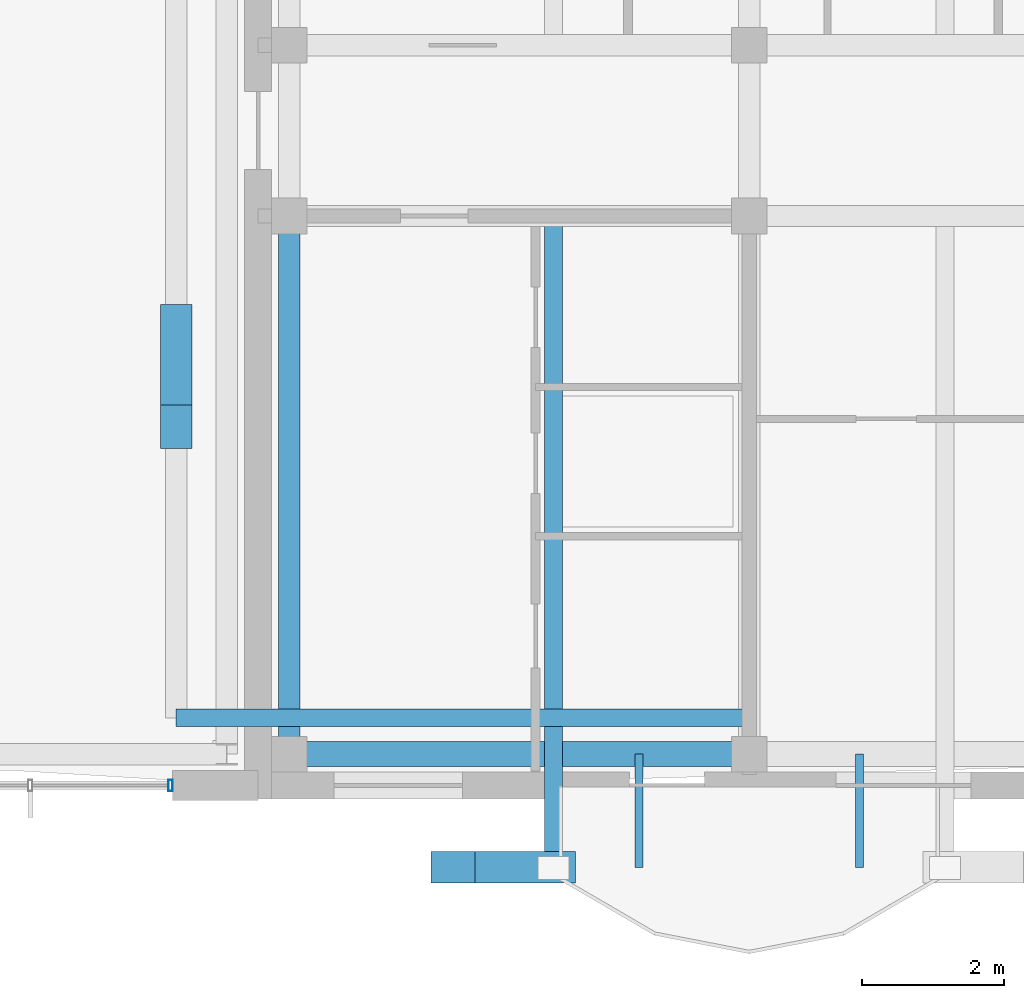
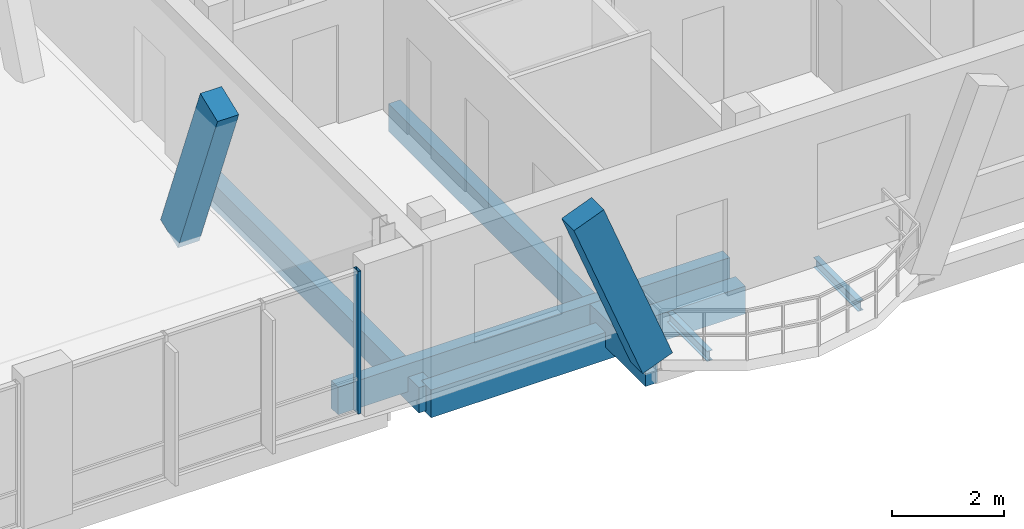
# One storey, part 57 of 189: 6 beams, 3 members, 1 element without a shape of its own.
"""IFC4 building model written with IfcOpenShell, lengths in metres."""

from ifc_helpers import new_model, si_unit, direction, frame, origin, origin_2d, place, context, subcontext, project, spatial, rectangle, hollow_rectangle, i_section, extrude, material, material_profile, profile_set, type_object, element, aggregate, save


model = new_model("IFC4")

# Units and contexts
model_context = context("Model", 3, precision=1e-05, world=origin(), true_north=direction((0.0, 1.0)))
body_context = subcontext(model_context, "Body", "Model", "MODEL_VIEW")
ifc_project = project(units=[si_unit("LENGTHUNIT", "METRE"), si_unit("AREAUNIT", "SQUARE_METRE"), si_unit("VOLUMEUNIT", "CUBIC_METRE"), si_unit("PLANEANGLEUNIT", "RADIAN"), si_unit("MASSUNIT", "GRAM", prefix="KILO")], contexts=[model_context])

# Site, building, storey
site_placement = place(None, origin())
site = spatial("IfcSite", under=ifc_project, at=site_placement, CompositionType="ELEMENT")
building_placement = place(site_placement, origin())
building = spatial("IfcBuilding", under=site, at=building_placement, Name="Zavelmont Quarter", CompositionType="ELEMENT")
storey_placement = place(building_placement, frame((0.0, 0.0, 4.39990234375)))
storey = spatial("IfcBuildingStorey", under=building, at=storey_placement, Name="L01", CompositionType="ELEMENT", Elevation=4.39990234375)

# Beams
ifc_material_1 = material(Name="Concrete C35/45", Category="concrete")
ifc_material_profile_1 = material_profile(ifc_material_1, rectangle(XDim=0.35009765625, YDim=0.60009765625, at=origin_2d()), Name="RC350X600")
ifc_profile_set_1 = profile_set([ifc_material_profile_1], Name="Concrete C35/45")
beam_type_1 = type_object("IfcBeamType", Name="BM01", PredefinedType="SPANDREL", material=ifc_profile_set_1)
beam_1_placement = place(storey_placement, frame((113.239990234375, 0.43994140625, -0.579833984375), z_axis=(1.0, 0.0, 0.0), x_axis=(0.0, 1.0, 0.0)))
element("IfcBeam", 1, at=beam_1_placement, inside=storey, type_object=beam_type_1, Name="L01 beam BM01 17/A to 18/A", PredefinedType="SPANDREL", context=body_context, shape_type="SweptSolid", body=[
    extrude(rectangle(XDim=0.35009765625, YDim=0.60009765625, at=origin_2d()), origin(), (0.0, 0.0, 1.0), 6.4599609375),
])
ifc_material_profile_2 = material_profile(ifc_material_1, rectangle(XDim=0.300048828125, YDim=0.550048828125, at=origin_2d()), Name="RC300X550")
ifc_profile_set_2 = profile_set([ifc_material_profile_2], Name="Concrete C35/45")
beam_type_2 = type_object("IfcBeamType", Name="BM02", PredefinedType="SPANDREL", material=ifc_profile_set_2)
beam_2_placement = place(storey_placement, frame((113.239990234375, 0.43994140625, -0.554931640625), z_axis=(0.0, 1.0, 0.0), x_axis=(-1.0, 0.0, 0.0)))
element("IfcBeam", 2, at=beam_2_placement, inside=storey, type_object=beam_type_2, Name="L01 beam BM02 17/A to 17/B", PredefinedType="SPANDREL", context=body_context, shape_type="SweptSolid", body=[
    extrude(rectangle(XDim=0.300048828125, YDim=0.550048828125, at=origin_2d()), origin(), (0.0, 0.0, 1.0), 7.56005859375),
])
ifc_material_2 = material(Name="Steel S355", Category="steel")
ifc_material_profile_3 = material_profile(ifc_material_2, i_section(OverallWidth=0.110107421875, OverallDepth=0.219970703125, WebThickness=0.005859375, FlangeThickness=0.00927734375, at=origin_2d()), Name="IPE 220")
ifc_profile_set_3 = profile_set([ifc_material_profile_3], Name="Steel S355")
beam_type_3 = type_object("IfcBeamType", Name="BM15", PredefinedType="JOIST", material=ifc_profile_set_3)
for number, where, z_axis, x_axis, name in (
    (3, (118.14990234375, 0.43994140625, -0.391845703125), (0.0, -1.0, 0.0), (1.0, 0.0, 0.0), "L01 beam BM15 18/A to 18/A"),
    (4, (121.25, 0.43994140625, -0.391845703125), (0.0, -1.0, 0.0), (1.0, 0.0, 0.0), "L01 beam BM15 18/A to 18/A"),
):
    element("IfcBeam", number, at=place(storey_placement, frame(where, z_axis=z_axis, x_axis=x_axis)), inside=storey, type_object=beam_type_3, Name=name, PredefinedType="JOIST", context=body_context, shape_type="SweptSolid", body=[
        extrude(i_section(OverallWidth=0.110107421875, OverallDepth=0.219970703125, WebThickness=0.005859375, FlangeThickness=0.00927734375, at=origin_2d()), origin(), (0.0, 0.0, 1.0), 1.58984375),
    ])
ifc_material_3 = material(Name="Concrete C40/50", Category="concrete")
ifc_material_profile_4 = material_profile(ifc_material_3, rectangle(XDim=0.25, YDim=0.60009765625, at=origin_2d()), Name="RC250X600")
ifc_profile_set_4 = profile_set([ifc_material_profile_4], Name="Concrete C40/50")
beam_type_4 = type_object("IfcBeamType", Name="BM18", PredefinedType="BEAM", material=ifc_profile_set_4)
beam_3_placement = place(storey_placement, frame((116.9501953125, 8.0, -0.2998046875), z_axis=(0.0, -1.0, 0.0), x_axis=(1.0, 0.0, 0.0)))
element("IfcBeam", 5, at=beam_3_placement, inside=storey, type_object=beam_type_4, Name="L01 beam BM18 18/B to 18/A", PredefinedType="BEAM", context=body_context, shape_type="SweptSolid", body=[
    extrude(rectangle(XDim=0.25, YDim=0.60009765625, at=origin_2d()), origin(), (0.0, 0.0, 1.0), 9.14990234375),
])
beam_4_placement = place(storey_placement, frame((119.699951171875, 0.949951171875, -0.2998046875), z_axis=(-1.0, 0.0, 0.0), x_axis=(0.0, -1.0, 0.0)))
element("IfcBeam", 6, at=beam_4_placement, inside=storey, type_object=beam_type_4, Name="L01 beam BM18 18/A to 17/A", PredefinedType="BEAM", context=body_context, shape_type="SweptSolid", body=[
    extrude(rectangle(XDim=0.25, YDim=0.60009765625, at=origin_2d()), origin(), (0.0, 0.0, 1.0), 8.050048828125),
])

# Curtain wall, member
ifc_material_4 = material(Name="Thermally broken aluminium and double low-E safety glazing", Category="aluminium")
curtain_wall_type = type_object("IfcCurtainWallType", Name="CW-600X310", PredefinedType="NOTDEFINED", material=ifc_material_4)
curtain_wall_placement = place(storey_placement, origin())
curtain_wall = element("IfcCurtainWall", 7, at=curtain_wall_placement, inside=storey, type_object=curtain_wall_type, Name="L01 unitised curtain wall CW-600X310", PredefinedType="NOTDEFINED")
ifc_material_5 = material(Name="Powder-coated aluminium EN AW-6063-T6", Category="aluminium")
ifc_material_profile_5 = material_profile(ifc_material_5, hollow_rectangle(XDim=0.06005859375, YDim=0.159912109375, WallThickness=0.00390625, at=origin_2d()), Name="CWM60X160")
ifc_profile_set_5 = profile_set([ifc_material_profile_5], Name="Powder-coated aluminium EN AW-6063-T6")
member_type_1 = type_object("IfcMemberType", Name="CWM01", PredefinedType="MULLION", material=ifc_profile_set_5)
member_placement = place(storey_placement, frame((111.570068359375, 0.0, 0.0), z_axis=(0.0, 0.0, 1.0), x_axis=(1.0, 0.0, 0.0)))
member = element("IfcMember", 8, at=member_placement, type_object=member_type_1, Name="CW-600X310 mullion 4", PredefinedType="MULLION", context=body_context, shape_type="SweptSolid", body=[
    extrude(hollow_rectangle(XDim=0.06005859375, YDim=0.159912109375, WallThickness=0.00390625, at=origin_2d()), origin(), (0.0, 0.0, 1.0), 3.10009765625),
])
aggregate(curtain_wall, [member])

# Members
ifc_material_6 = material(Name="White architectural precast concrete C40/50", Category="concrete")
ifc_material_profile_6 = material_profile(ifc_material_6, rectangle(XDim=0.43994140625, YDim=0.659912109375, at=origin_2d()), Name="PCR320X480")
ifc_profile_set_6 = profile_set([ifc_material_profile_6], Name="White architectural precast concrete C40/50")
member_type_2 = type_object("IfcMemberType", Name="VR01M", PredefinedType="CHORD", material=ifc_profile_set_6)
for number, where, z_axis, x_axis, name in (
    (9, (116.9501953125, -1.14990234375, 0.0), (-0.365156192686, 0.0, 0.930946268559), (0.0, -1.0, 0.0), "L01 member VR01M 18/A to 17/A"),
    (10, (111.64990234375, 6.4501953125, 0.0), (0.0, -0.365156192686, 0.930946268559), (1.0, 0.0, 0.0), "L01 member VR01M 17/B to 17/B"),
):
    element("IfcMember", number, at=place(storey_placement, frame(where, z_axis=z_axis, x_axis=x_axis)), inside=storey, type_object=member_type_2, Name=name, PredefinedType="CHORD", context=body_context, shape_type="SweptSolid", body=[
        extrude(rectangle(XDim=0.43994140625, YDim=0.659912109375, at=origin_2d()), origin(), (0.0, 0.0, 1.0), 3.8671875),
    ])

save(model, "model.ifc")
